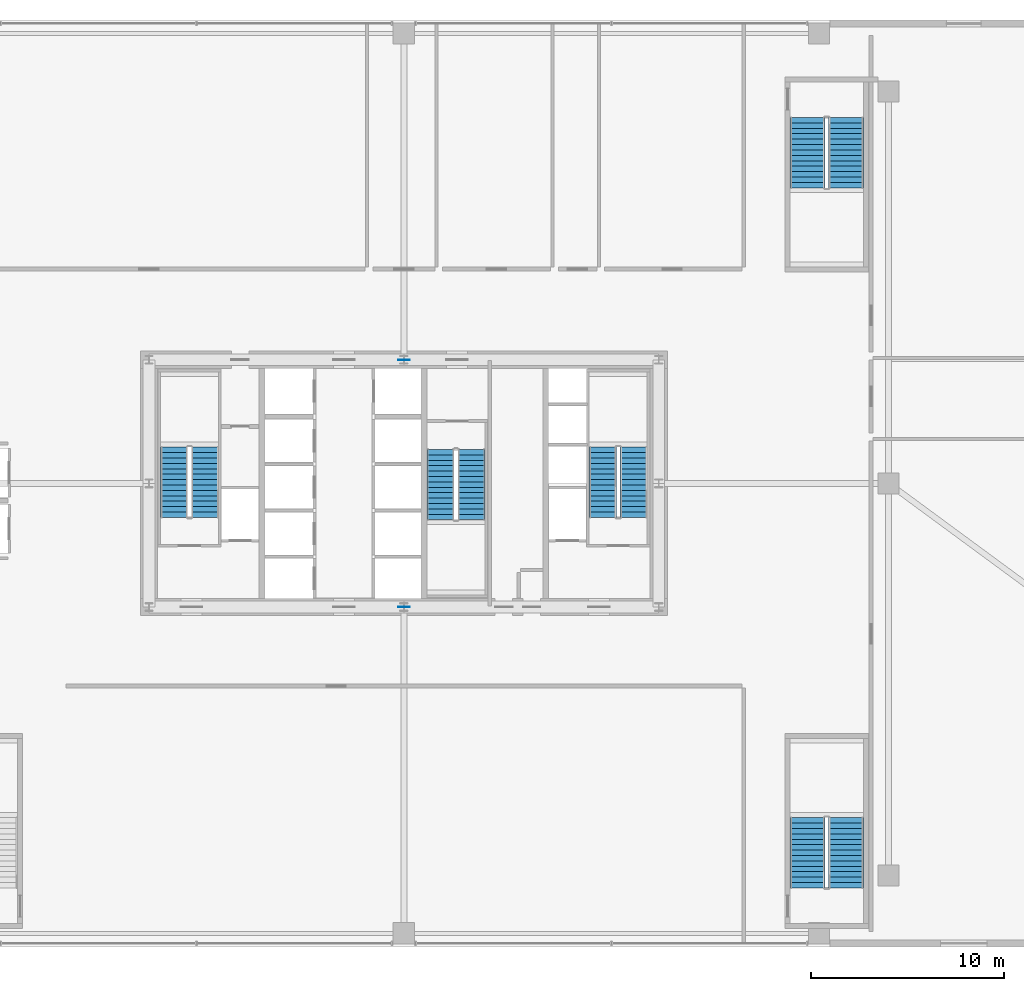
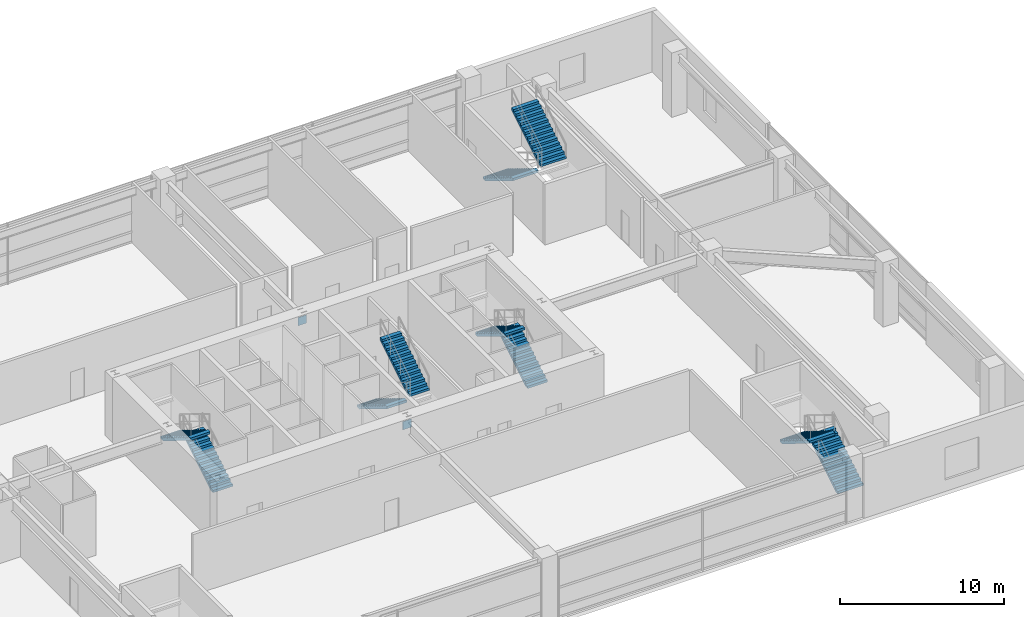
# One storey, part 36 of 38: 10 stair flights, 2 discrete accessories, 5 elements without a shape of their own.
"""IFC4 building model written with IfcOpenShell, lengths in metres."""

from ifc_helpers import new_model, si_unit, direction, frame, origin, origin_2d, place, context, subcontext, project, spatial, polyline, rectangle, outline, extrude, source, transform, mapped, material, layer, layer_set, type_object, element, aggregate, save


model = new_model("IFC4")

# Units and contexts
model_context = context("Model", 3, precision=1e-05, world=origin(), true_north=direction((0.0, 1.0)))
body_context = subcontext(model_context, "Body", "Model", "MODEL_VIEW")
ifc_project = project(units=[si_unit("LENGTHUNIT", "METRE"), si_unit("AREAUNIT", "SQUARE_METRE"), si_unit("VOLUMEUNIT", "CUBIC_METRE"), si_unit("PLANEANGLEUNIT", "RADIAN"), si_unit("MASSUNIT", "GRAM", prefix="KILO"), si_unit("THERMODYNAMICTEMPERATUREUNIT", "KELVIN"), si_unit("POWERUNIT", "WATT")], contexts=[model_context])

# Site, building, storey
site_placement = place(None, origin())
site = spatial("IfcSite", under=ifc_project, at=site_placement, CompositionType="ELEMENT")
building_placement = place(site_placement, origin())
building = spatial("IfcBuilding", under=site, at=building_placement, Name="Yuzanri Waterfront Tower", CompositionType="ELEMENT")
storey_placement = place(building_placement, frame((0.0, 0.0, 10.199951171875)))
storey = spatial("IfcBuildingStorey", under=building, at=storey_placement, Name="L03", CompositionType="ELEMENT", Elevation=10.199951171875)

# Stair, stair flights
ifc_material_1 = material(Name="Concrete C40", Category="concrete")
stair_type_1 = type_object("IfcStairType", Name="Concrete C40 Core Dogleg Exit Stair", PredefinedType="HALF_TURN_STAIR", material=ifc_material_1)
stair_1_placement = place(storey_placement, origin())
stair_1 = element("IfcStair", 1, at=stair_1_placement, inside=storey, type_object=stair_type_1, Name="L03 Smoke-Proof Core Stair ST-01", PredefinedType="HALF_TURN_STAIR")
ifc_material_2 = material(Name="Concrete C40", Category="concrete")
stair_flight_type_1 = type_object("IfcStairFlightType", Name="Concrete C40 Tall-Storey Precast Stair Flight 1380", PredefinedType="STRAIGHT", material=ifc_material_2)
shared_shape_1 = source(origin(), body_context, "Body", "SweptSolid", [
    extrude(outline(polyline([(0.0, 0.0), (0.0, 0.17138671875), (0.280029296875, 0.17138671875), (0.280029296875, 0.3427734375), (0.56005859375, 0.3427734375), (0.56005859375, 0.514404296875), (0.840087890625, 0.514404296875), (0.840087890625, 0.685791015625), (1.1201171875, 0.685791015625), (1.1201171875, 0.857177734375), (1.39990234375, 0.857177734375), (1.39990234375, 1.028564453125), (1.679931640625, 1.028564453125), (1.679931640625, 1.199951171875), (1.9599609375, 1.199951171875), (1.9599609375, 1.371337890625), (2.239990234375, 1.371337890625), (2.239990234375, 1.54296875), (2.52001953125, 1.54296875), (2.52001953125, 1.71435546875), (2.800048828125, 1.71435546875), (2.800048828125, 1.8857421875), (3.080078125, 1.8857421875), (3.080078125, 2.05712890625), (3.360107421875, 2.05712890625), (3.360107421875, 2.228515625), (3.639892578125, 2.228515625), (3.639892578125, 2.39990234375), (3.639892578125, 2.052734375), (0.287109375, 0.0), (0.0, 0.0)])), frame((0.0, 0.699951171875, 0.0), z_axis=(0.0, -1.0, 0.0), x_axis=(1.0, 0.0, 0.0)), (0.0, 0.0, 1.0), 1.39990234375),
])
stair_flight_1_placement = place(storey_placement, frame((26.699951171875, 24.0400390625, 0.0), z_axis=(0.0, 0.0, 1.0), x_axis=(0.0, 1.0, 0.0)))
stair_flight_1 = element("IfcStairFlight", 2, at=stair_flight_1_placement, type_object=stair_flight_type_1, Name="ST-01 flight 1", NumberOfRisers=14, NumberOfTreads=13, PredefinedType="STRAIGHT", RiserHeight=0.171428571, TreadLength=0.28, context=body_context, shape_type="MappedRepresentation", body=[
    mapped(shared_shape_1, transform((0.0, 0.0, 0.0), scale=1.0)),
])
stair_flight_2_placement = place(storey_placement, frame((25.10009765625, 27.679931640625, 2.400146484375), z_axis=(0.0, 0.0, 1.0), x_axis=(0.0, -1.0, 0.0)))
stair_flight_2 = element("IfcStairFlight", 3, at=stair_flight_2_placement, type_object=stair_flight_type_1, Name="ST-01 flight 2", NumberOfRisers=14, NumberOfTreads=13, PredefinedType="STRAIGHT", RiserHeight=0.171428571, TreadLength=0.28, context=body_context, shape_type="MappedRepresentation", body=[
    mapped(shared_shape_1, transform((0.0, 0.0, 0.0), scale=1.0)),
])
aggregate(stair_1, [stair_flight_1, stair_flight_2])

stair_2_placement = place(storey_placement, origin())
stair_2 = element("IfcStair", 4, at=stair_2_placement, inside=storey, type_object=stair_type_1, Name="L03 Smoke-Proof Core Stair ST-02", PredefinedType="HALF_TURN_STAIR")
stair_flight_3_placement = place(storey_placement, frame((48.89990234375, 24.0400390625, 0.0), z_axis=(0.0, 0.0, 1.0), x_axis=(0.0, 1.0, 0.0)))
stair_flight_3 = element("IfcStairFlight", 5, at=stair_flight_3_placement, type_object=stair_flight_type_1, Name="ST-02 flight 1", NumberOfRisers=14, NumberOfTreads=13, PredefinedType="STRAIGHT", RiserHeight=0.171428571, TreadLength=0.28, context=body_context, shape_type="MappedRepresentation", body=[
    mapped(shared_shape_1, transform((0.0, 0.0, 0.0), scale=1.0)),
])
stair_flight_4_placement = place(storey_placement, frame((47.300048828125, 27.679931640625, 2.400146484375), z_axis=(0.0, 0.0, 1.0), x_axis=(0.0, -1.0, 0.0)))
stair_flight_4 = element("IfcStairFlight", 6, at=stair_flight_4_placement, type_object=stair_flight_type_1, Name="ST-02 flight 2", NumberOfRisers=14, NumberOfTreads=13, PredefinedType="STRAIGHT", RiserHeight=0.171428571, TreadLength=0.28, context=body_context, shape_type="MappedRepresentation", body=[
    mapped(shared_shape_1, transform((0.0, 0.0, 0.0), scale=1.0)),
])
aggregate(stair_2, [stair_flight_3, stair_flight_4])

stair_3_placement = place(storey_placement, origin())
stair_3 = element("IfcStair", 7, at=stair_3_placement, inside=storey, type_object=stair_type_1, Name="L03 Smoke-Proof Core Stair ST-03", PredefinedType="HALF_TURN_STAIR")
stair_flight_5_placement = place(storey_placement, frame((38.89990234375, 27.56005859375, 0.0), z_axis=(0.0, 0.0, 1.0), x_axis=(0.0, -1.0, 0.0)))
stair_flight_5 = element("IfcStairFlight", 8, at=stair_flight_5_placement, type_object=stair_flight_type_1, Name="ST-03 flight 1", NumberOfRisers=14, NumberOfTreads=13, PredefinedType="STRAIGHT", RiserHeight=0.171428571, TreadLength=0.28, context=body_context, shape_type="MappedRepresentation", body=[
    mapped(shared_shape_1, transform((0.0, 0.0, 0.0), scale=1.0)),
])
stair_flight_6_placement = place(storey_placement, frame((40.5, 23.919921875, 2.400146484375), z_axis=(0.0, 0.0, 1.0), x_axis=(0.0, 1.0, 0.0)))
stair_flight_6 = element("IfcStairFlight", 9, at=stair_flight_6_placement, type_object=stair_flight_type_1, Name="ST-03 flight 2", NumberOfRisers=14, NumberOfTreads=13, PredefinedType="STRAIGHT", RiserHeight=0.171428571, TreadLength=0.28, context=body_context, shape_type="MappedRepresentation", body=[
    mapped(shared_shape_1, transform((0.0, 0.0, 0.0), scale=1.0)),
])
aggregate(stair_3, [stair_flight_5, stair_flight_6])

ifc_material_3 = material(Name="Concrete C40", Category="concrete")
stair_type_2 = type_object("IfcStairType", Name="Concrete C40 Podium Dogleg Exit Stair", PredefinedType="HALF_TURN_STAIR", material=ifc_material_3)
stair_4_placement = place(storey_placement, origin())
stair_4 = element("IfcStair", 10, at=stair_4_placement, inside=storey, type_object=stair_type_2, Name="L03 Podium Public Exit Stair PST-02", PredefinedType="HALF_TURN_STAIR")
ifc_material_4 = material(Name="Concrete C40", Category="concrete")
stair_flight_type_2 = type_object("IfcStairFlightType", Name="Concrete C40 Precast Podium Stair Flight 1400", PredefinedType="STRAIGHT", material=ifc_material_4)
shared_shape_2 = source(origin(), body_context, "Body", "SweptSolid", [
    extrude(outline(polyline([(0.0, 0.0), (0.0, 0.17138671875), (0.280029296875, 0.17138671875), (0.280029296875, 0.3427734375), (0.56005859375, 0.3427734375), (0.56005859375, 0.514404296875), (0.840087890625, 0.514404296875), (0.840087890625, 0.685791015625), (1.1201171875, 0.685791015625), (1.1201171875, 0.857177734375), (1.39990234375, 0.857177734375), (1.39990234375, 1.028564453125), (1.679931640625, 1.028564453125), (1.679931640625, 1.199951171875), (1.9599609375, 1.199951171875), (1.9599609375, 1.371337890625), (2.239990234375, 1.371337890625), (2.239990234375, 1.54296875), (2.52001953125, 1.54296875), (2.52001953125, 1.71435546875), (2.800048828125, 1.71435546875), (2.800048828125, 1.8857421875), (3.080078125, 1.8857421875), (3.080078125, 2.05712890625), (3.360107421875, 2.05712890625), (3.360107421875, 2.228515625), (3.639892578125, 2.228515625), (3.639892578125, 2.39990234375), (3.639892578125, 2.052734375), (0.287109375, 0.0), (0.0, 0.0)])), frame((0.0, 0.89990234375, 0.0), z_axis=(0.0, -1.0, 0.0), x_axis=(1.0, 0.0, 0.0)), (0.0, 0.0, 1.0), 1.800048828125),
])
stair_flight_7_placement = place(storey_placement, frame((59.89990234375, 4.85009765625, 0.0), z_axis=(0.0, 0.0, 1.0), x_axis=(0.0, 1.0, 0.0)))
stair_flight_7 = element("IfcStairFlight", 11, at=stair_flight_7_placement, type_object=stair_flight_type_2, Name="PST-02 flight 1", NumberOfRisers=14, NumberOfTreads=13, PredefinedType="STRAIGHT", RiserHeight=0.171428571, TreadLength=0.28, context=body_context, shape_type="MappedRepresentation", body=[
    mapped(shared_shape_2, transform((0.0, 0.0, 0.0), scale=1.0)),
])
stair_flight_8_placement = place(storey_placement, frame((57.89990234375, 8.489990234375, 2.400146484375), z_axis=(0.0, 0.0, 1.0), x_axis=(0.0, -1.0, 0.0)))
stair_flight_8 = element("IfcStairFlight", 12, at=stair_flight_8_placement, type_object=stair_flight_type_2, Name="PST-02 flight 2", NumberOfRisers=14, NumberOfTreads=13, PredefinedType="STRAIGHT", RiserHeight=0.171428571, TreadLength=0.28, context=body_context, shape_type="MappedRepresentation", body=[
    mapped(shared_shape_2, transform((0.0, 0.0, 0.0), scale=1.0)),
])
aggregate(stair_4, [stair_flight_7, stair_flight_8])

stair_5_placement = place(storey_placement, origin())
stair_5 = element("IfcStair", 13, at=stair_5_placement, inside=storey, type_object=stair_type_2, Name="L03 Podium Public Exit Stair PST-03", PredefinedType="HALF_TURN_STAIR")
stair_flight_9_placement = place(storey_placement, frame((57.89990234375, 44.75, 0.0), z_axis=(0.0, 0.0, 1.0), x_axis=(0.0, -1.0, 0.0)))
stair_flight_9 = element("IfcStairFlight", 14, at=stair_flight_9_placement, type_object=stair_flight_type_2, Name="PST-03 flight 1", NumberOfRisers=14, NumberOfTreads=13, PredefinedType="STRAIGHT", RiserHeight=0.171428571, TreadLength=0.28, context=body_context, shape_type="MappedRepresentation", body=[
    mapped(shared_shape_2, transform((0.0, 0.0, 0.0), scale=1.0)),
])
stair_flight_10_placement = place(storey_placement, frame((59.89990234375, 41.110107421875, 2.400146484375), z_axis=(0.0, 0.0, 1.0), x_axis=(0.0, 1.0, 0.0)))
stair_flight_10 = element("IfcStairFlight", 15, at=stair_flight_10_placement, type_object=stair_flight_type_2, Name="PST-03 flight 2", NumberOfRisers=14, NumberOfTreads=13, PredefinedType="STRAIGHT", RiserHeight=0.171428571, TreadLength=0.28, context=body_context, shape_type="MappedRepresentation", body=[
    mapped(shared_shape_2, transform((0.0, 0.0, 0.0), scale=1.0)),
])
aggregate(stair_5, [stair_flight_9, stair_flight_10])

# Discrete accessories
ifc_material_5 = material(Name="Steel Q355B", Category="steel")
ifc_layer = layer(ifc_material_5, 0.031982421875)
ifc_layer_set = layer_set([ifc_layer], Name="Steel Q355B")
discrete_accessory_type = type_object("IfcDiscreteAccessoryType", Name="Steel Q355B Core Wall Cast-In Embed Plate 600x600x32", PredefinedType="USERDEFINED", material=ifc_layer_set)
shared_shape_3 = source(origin(), body_context, "Body", "SweptSolid", [
    extrude(rectangle(XDim=0.60009765625, YDim=0.031982421875, at=origin_2d()), origin(), (0.0, 0.0, 1.0), 0.60009765625),
])
for number, where, z_axis, x_axis, name in (
    (16, (37.0, 19.39990234375, 3.77001953125), (0.0, 0.0, 1.0), (1.0, 0.0, 0.0), "Core Wall Cast-In Embed Plate EP-01"),
    (17, (37.0, 32.199951171875, 3.77001953125), (0.0, 0.0, 1.0), (1.0, 0.0, 0.0), "Core Wall Cast-In Embed Plate EP-01"),
):
    element("IfcDiscreteAccessory", number, at=place(storey_placement, frame(where, z_axis=z_axis, x_axis=x_axis)), inside=storey, type_object=discrete_accessory_type, Name=name, ObjectType="CAST-IN EMBED PLATE", PredefinedType="USERDEFINED", context=body_context, shape_type="MappedRepresentation", body=[
        mapped(shared_shape_3, transform((0.0, 0.0, 0.0), scale=1.0)),
    ])

save(model, "model.ifc")
